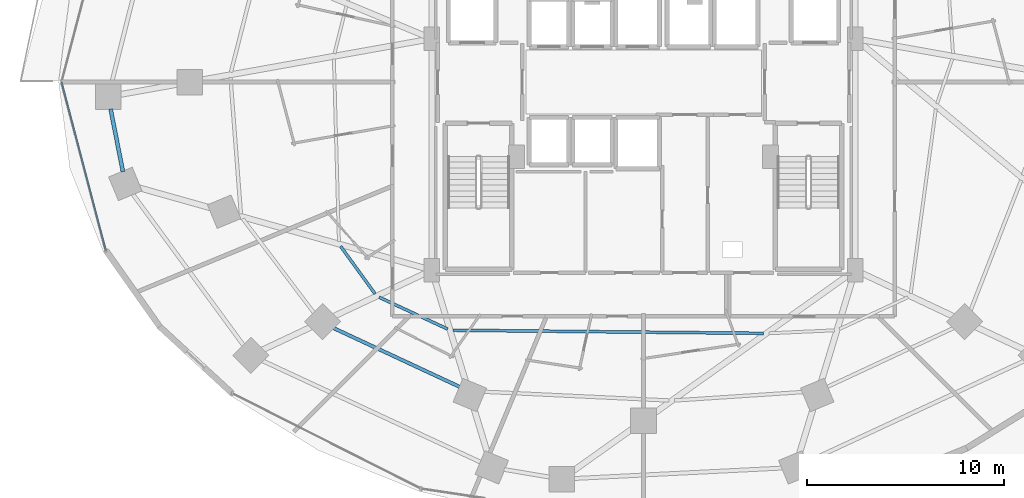
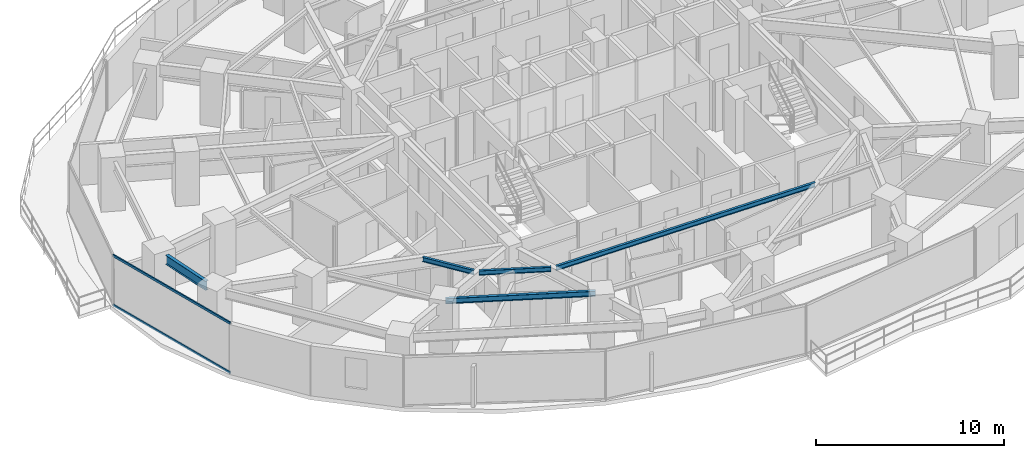
# One storey, part 7 of 34: 5 beams, 2 members, 1 element without a shape of its own.
"""IFC4 building model written with IfcOpenShell, lengths in metres."""

from ifc_helpers import new_model, si_unit, direction, frame, origin, origin_2d, place, context, subcontext, project, spatial, hollow_rectangle, i_section, extrude, material, material_profile, profile_set, type_object, element, aggregate, save


model = new_model("IFC4")

# Units and contexts
model_context = context("Model", 3, precision=1e-05, world=origin(), true_north=direction((0.0, 1.0)))
body_context = subcontext(model_context, "Body", "Model", "MODEL_VIEW")
ifc_project = project(units=[si_unit("LENGTHUNIT", "METRE"), si_unit("AREAUNIT", "SQUARE_METRE"), si_unit("VOLUMEUNIT", "CUBIC_METRE"), si_unit("PLANEANGLEUNIT", "RADIAN"), si_unit("MASSUNIT", "GRAM", prefix="KILO")], contexts=[model_context])

# Site, building, storey
site_placement = place(None, origin())
site = spatial("IfcSite", under=ifc_project, at=site_placement, CompositionType="ELEMENT")
building_placement = place(site_placement, origin())
building = spatial("IfcBuilding", under=site, at=building_placement, Name="Vorneva Point Tower", CompositionType="ELEMENT")
storey_placement = place(building_placement, frame((0.0, 0.0, 27.5)))
storey = spatial("IfcBuildingStorey", under=building, at=storey_placement, Name="L06", CompositionType="ELEMENT", Elevation=27.5)

# Beams
ifc_material_1 = material(Name="Steel S355", Category="steel")
ifc_material_profile_1 = material_profile(ifc_material_1, i_section(OverallWidth=0.14892578125, OverallDepth=0.298095703125, WebThickness=0.005615234375, FlangeThickness=0.008056640625, at=origin_2d()), Name="30B1")
ifc_profile_set_1 = profile_set([ifc_material_profile_1], Name="Steel S355")
beam_type_1 = type_object("IfcBeamType", Name="BM-JST-30B1", PredefinedType="JOIST", material=ifc_profile_set_1)
beam_1_placement = place(storey_placement, frame((22.617431640625, 17.664794921875, 3.091064453125), z_axis=(0.586519051384, -0.809935430984, 0.0), x_axis=(0.809935430984, 0.586519051384, 0.0)))
element("IfcBeam", 1, at=beam_1_placement, inside=storey, type_object=beam_type_1, Name="L06 Secondary Floor Beam 2.10", PredefinedType="JOIST", context=body_context, shape_type="SweptSolid", body=[
    extrude(i_section(OverallWidth=0.14892578125, OverallDepth=0.298095703125, WebThickness=0.005615234375, FlangeThickness=0.008056640625, at=origin_2d()), origin(), (0.0, 0.0, 1.0), 2.98876953125),
])
beam_2_placement = place(storey_placement, frame((24.576416015625, 15.07421875, 3.091064453125), z_axis=(0.906875117786, -0.421399478808, 0.0), x_axis=(0.421399478808, 0.906875117786, 0.0)))
element("IfcBeam", 2, at=beam_2_placement, inside=storey, type_object=beam_type_1, Name="L06 Secondary Floor Beam 2.11", PredefinedType="JOIST", context=body_context, shape_type="SweptSolid", body=[
    extrude(i_section(OverallWidth=0.14892578125, OverallDepth=0.298095703125, WebThickness=0.005615234375, FlangeThickness=0.008056640625, at=origin_2d()), origin(), (0.0, 0.0, 1.0), 3.8330078125),
])
beam_3_placement = place(storey_placement, frame((28.315673828125, 13.399658203125, 3.091064453125), z_axis=(0.999949783925, -0.010021458443, 0.0), x_axis=(0.010021458443, 0.999949783925, 0.0)))
element("IfcBeam", 3, at=beam_3_placement, inside=storey, type_object=beam_type_1, Name="L06 Secondary Floor Beam 2.12", PredefinedType="JOIST", context=body_context, shape_type="SweptSolid", body=[
    extrude(i_section(OverallWidth=0.14892578125, OverallDepth=0.298095703125, WebThickness=0.005615234375, FlangeThickness=0.008056640625, at=origin_2d()), origin(), (0.0, 0.0, 1.0), 15.786376953125),
])
ifc_material_profile_2 = material_profile(ifc_material_1, i_section(OverallWidth=0.174072265625, OverallDepth=0.345947265625, WebThickness=0.006103515625, FlangeThickness=0.009033203125, at=origin_2d()), Name="35B1")
ifc_profile_set_2 = profile_set([ifc_material_profile_2], Name="Steel S355")
beam_type_2 = type_object("IfcBeamType", Name="BM-SEC-35B1", PredefinedType="BEAM", material=ifc_profile_set_2)
beam_4_placement = place(storey_placement, frame((21.7529296875, 13.7451171875, 3.06689453125), z_axis=(0.906436807177, -0.422341466818, 0.0), x_axis=(0.422341466818, 0.906436807177, 0.0)))
element("IfcBeam", 4, at=beam_4_placement, inside=storey, type_object=beam_type_2, Name="L06 Secondary Floor Beam 1.11", PredefinedType="BEAM", context=body_context, shape_type="SweptSolid", body=[
    extrude(i_section(OverallWidth=0.174072265625, OverallDepth=0.345947265625, WebThickness=0.006103515625, FlangeThickness=0.009033203125, at=origin_2d()), origin(), (0.0, 0.0, 1.0), 7.98583984375),
])
ifc_material_profile_3 = material_profile(ifc_material_1, i_section(OverallWidth=0.198974609375, OverallDepth=0.595947265625, WebThickness=0.010009765625, FlangeThickness=0.014892578125, at=origin_2d()), Name="60B1")
ifc_profile_set_3 = profile_set([ifc_material_profile_3], Name="Steel S355")
beam_type_3 = type_object("IfcBeamType", Name="BM-SPN-60B1", PredefinedType="SPANDREL", material=ifc_profile_set_3)
beam_5_placement = place(storey_placement, frame((10.940185546875, 24.6376953125, 2.94189453125), z_axis=(0.192701334008, -0.981257456467, 0.0), x_axis=(0.981257456467, 0.192701334008, 0.0)))
element("IfcBeam", 5, at=beam_5_placement, inside=storey, type_object=beam_type_3, Name="L06 Perimeter Spandrel Ring Beam 09", PredefinedType="SPANDREL", context=body_context, shape_type="SweptSolid", body=[
    extrude(i_section(OverallWidth=0.198974609375, OverallDepth=0.595947265625, WebThickness=0.010009765625, FlangeThickness=0.014892578125, at=origin_2d()), origin(), (0.0, 0.0, 1.0), 3.245849609375),
])

# Curtain wall, members
ifc_material_2 = material(Name="Pale anodised aluminium", Category="aluminium")
curtain_wall_type = type_object("IfcCurtainWallType", Name="CW-HTL-SYS", PredefinedType="NOTDEFINED", material=ifc_material_2)
curtain_wall_placement = place(storey_placement, origin())
curtain_wall = element("IfcCurtainWall", 6, at=curtain_wall_placement, inside=storey, type_object=curtain_wall_type, Name="L06 Unitised Curtain Wall CW-L06-R03", PredefinedType="NOTDEFINED")
ifc_material_profile_4 = material_profile(ifc_material_2, hollow_rectangle(XDim=0.074951171875, YDim=0.14990234375, WallThickness=0.00390625, at=origin_2d()), Name="AL-TRN 150x75x4")
ifc_profile_set_4 = profile_set([ifc_material_profile_4], Name="Pale anodised aluminium")
member_type = type_object("IfcMemberType", Name="CW-TRN-150", PredefinedType="USERDEFINED", material=ifc_profile_set_4)
member_1_placement = place(storey_placement, frame((8.449951171875, 26.0, 0.02001953125), z_axis=(0.254358772746, -0.967109928978, 0.0), x_axis=(0.967109928978, 0.254358772746, 0.0)))
member_1 = element("IfcMember", 7, at=member_1_placement, type_object=member_type, Name="CW-L06-R03 Transom 03.1", ObjectType="TRANSOM", PredefinedType="USERDEFINED", context=body_context, shape_type="SweptSolid", body=[
    extrude(hollow_rectangle(XDim=0.074951171875, YDim=0.14990234375, WallThickness=0.00390625, at=origin_2d()), origin(), (0.0, 0.0, 1.0), 8.84375),
])
member_2_placement = place(storey_placement, frame((8.449951171875, 26.0, 3.219970703125), z_axis=(0.254358772746, -0.967109928978, 0.0), x_axis=(0.967109928978, 0.254358772746, 0.0)))
member_2 = element("IfcMember", 8, at=member_2_placement, type_object=member_type, Name="CW-L06-R03 Transom 03.2", ObjectType="TRANSOM", PredefinedType="USERDEFINED", context=body_context, shape_type="SweptSolid", body=[
    extrude(hollow_rectangle(XDim=0.074951171875, YDim=0.14990234375, WallThickness=0.00390625, at=origin_2d()), origin(), (0.0, 0.0, 1.0), 8.84375),
])
aggregate(curtain_wall, [member_1, member_2])

save(model, "model.ifc")
